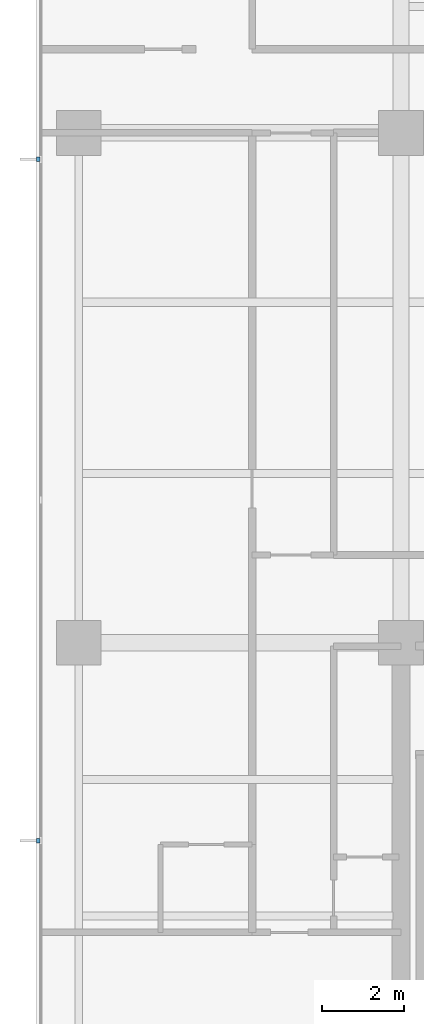
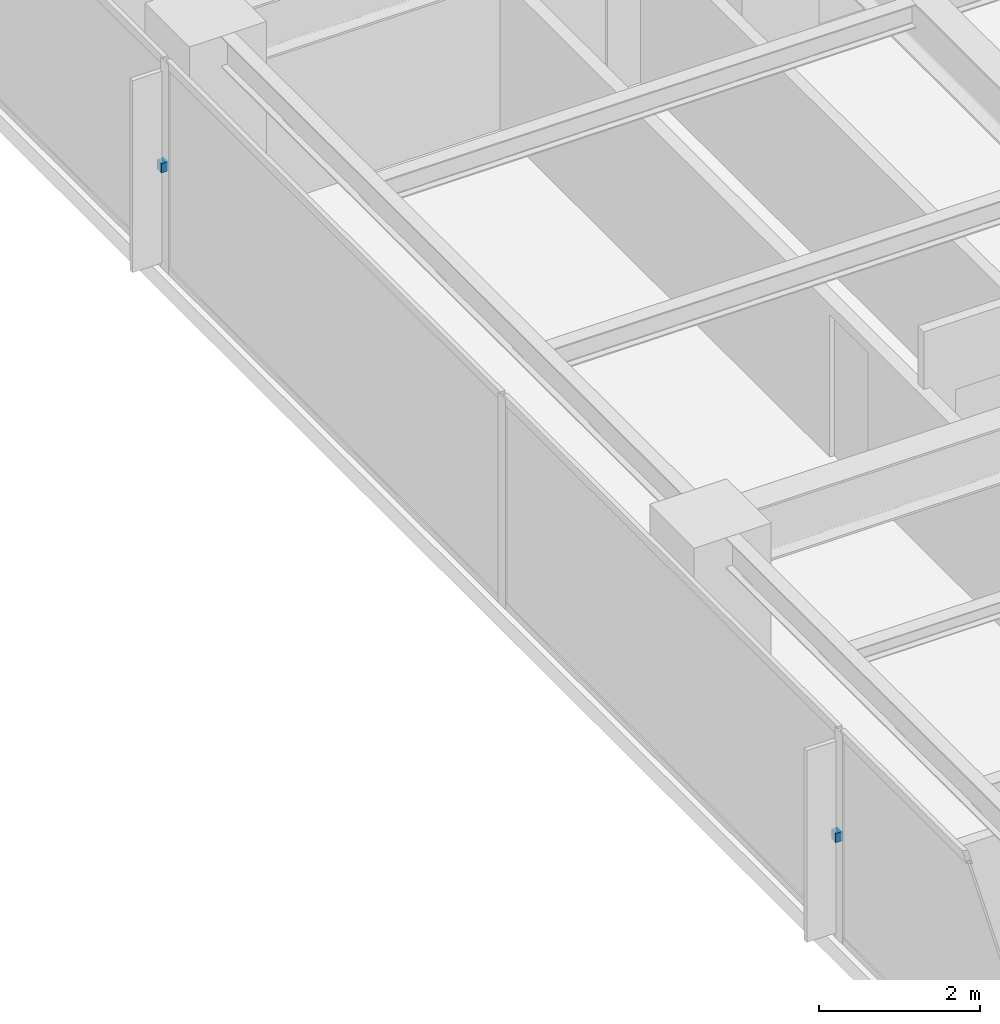
# One storey, part 11 of 14: 2 discrete accessories.
"""IFC4 building model written with IfcOpenShell, lengths in metres."""

from ifc_helpers import new_model, si_unit, direction, frame, origin, place, context, subcontext, project, spatial, polyline, outline, extrude, material, type_object, element, save


model = new_model("IFC4")

# Units and contexts
model_context = context("Model", 3, precision=1e-05, world=origin(), true_north=direction((0.0, 1.0)))
body_context = subcontext(model_context, "Body", "Model", "MODEL_VIEW")
ifc_project = project(units=[si_unit("LENGTHUNIT", "METRE"), si_unit("AREAUNIT", "SQUARE_METRE"), si_unit("VOLUMEUNIT", "CUBIC_METRE"), si_unit("PLANEANGLEUNIT", "RADIAN"), si_unit("MASSUNIT", "GRAM", prefix="KILO")], contexts=[model_context])

# Site, building, storey
site_placement = place(None, origin())
site = spatial("IfcSite", under=ifc_project, at=site_placement, CompositionType="ELEMENT")
building_placement = place(site_placement, origin())
building = spatial("IfcBuilding", under=site, at=building_placement, Name="Qalmaran Belvedere Hotel", CompositionType="ELEMENT")
storey_placement = place(building_placement, frame((0.0, 0.0, 180.60009765625)))
storey = spatial("IfcBuildingStorey", under=building, at=storey_placement, Name="L46", CompositionType="ELEMENT", Elevation=180.60009765625)

# Discrete accessories
ifc_material = material(Name="Stainless Steel 1.4401", Category="steel")
discrete_accessory_type = type_object("IfcDiscreteAccessoryType", Name="BRK-FIN-SS316", PredefinedType="BRACKET", material=ifc_material)
discrete_accessory_1_placement = place(storey_placement, frame((0.0, 0.0, 1.539794921875)))
element("IfcDiscreteAccessory", 1, at=discrete_accessory_1_placement, inside=storey, type_object=discrete_accessory_type, Name="L46 Fin Bracket 1", PredefinedType="BRACKET", context=body_context, shape_type="SweptSolid", body=[
    extrude(outline(polyline([(11.455078125, 32.405029296875), (11.360107421875, 32.405029296875), (11.360107421875, 32.294921875), (11.455078125, 32.294921875), (11.455078125, 32.405029296875)])), origin(), (0.0, 0.0, 1.0), 0.14013671875),
])
discrete_accessory_2_placement = place(storey_placement, frame((0.0, 0.0, 1.539794921875)))
element("IfcDiscreteAccessory", 2, at=discrete_accessory_2_placement, inside=storey, type_object=discrete_accessory_type, Name="L46 Fin Bracket 3", PredefinedType="BRACKET", context=body_context, shape_type="SweptSolid", body=[
    extrude(outline(polyline([(11.455078125, 15.705078125), (11.360107421875, 15.705078125), (11.360107421875, 15.594970703125), (11.455078125, 15.594970703125), (11.455078125, 15.705078125)])), origin(), (0.0, 0.0, 1.0), 0.14013671875),
])

save(model, "model.ifc")
